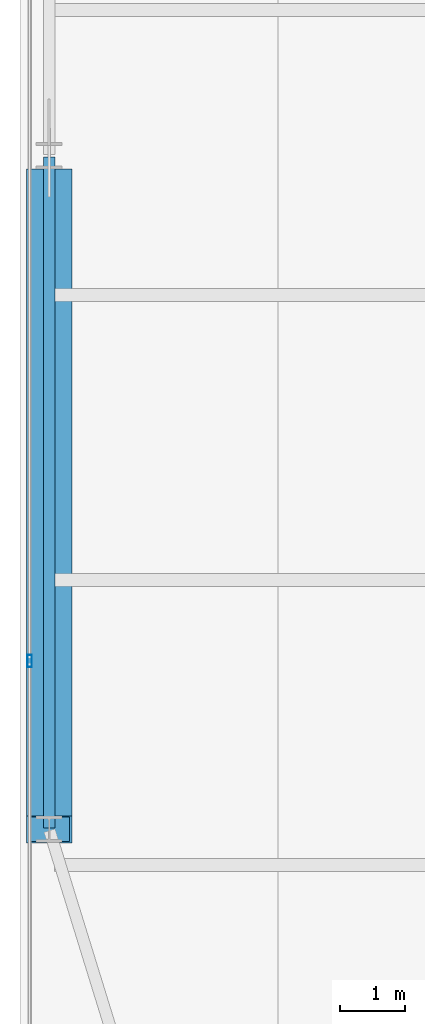
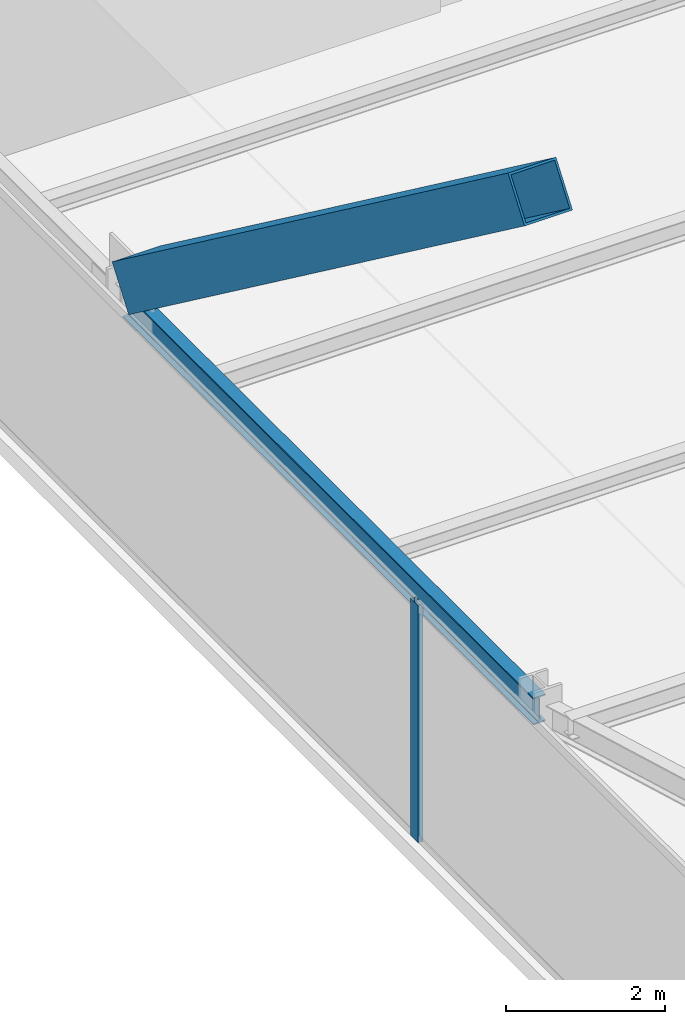
# One storey, part 8 of 35: 2 members, 1 beam, 1 element without a shape of its own.
"""IFC4 building model written with IfcOpenShell, lengths in metres."""

from ifc_helpers import new_model, si_unit, direction, frame, origin, origin_2d, place, context, subcontext, project, spatial, hollow_rectangle, i_section, extrude, source, transform, mapped, material, layer, layer_set, material_profile, profile_set, type_object, type_shapes, element, aggregate, save


model = new_model("IFC4")

# Units and contexts
model_context = context("Model", 3, precision=1e-05, world=origin(), true_north=direction((0.0, 1.0)))
body_context = subcontext(model_context, "Body", "Model", "MODEL_VIEW")
ifc_project = project(units=[si_unit("LENGTHUNIT", "METRE"), si_unit("AREAUNIT", "SQUARE_METRE"), si_unit("VOLUMEUNIT", "CUBIC_METRE"), si_unit("PLANEANGLEUNIT", "RADIAN"), si_unit("MASSUNIT", "GRAM", prefix="KILO")], contexts=[model_context])

# Site, building, storey
site_placement = place(None, origin())
site = spatial("IfcSite", under=ifc_project, at=site_placement, CompositionType="ELEMENT")
building_placement = place(site_placement, origin())
building = spatial("IfcBuilding", under=site, at=building_placement, Name="Varnel Quay Broadcast Tower", CompositionType="ELEMENT")
storey_placement = place(building_placement, frame((0.0, 0.0, 31.5)))
storey = spatial("IfcBuildingStorey", under=building, at=storey_placement, Name="L06", CompositionType="ELEMENT", Elevation=31.5)

# Beam
ifc_material_1 = material(Name="Structural Steel CSA G40.21 350W", Category="steel")
ifc_material_profile_1 = material_profile(ifc_material_1, i_section(OverallWidth=0.180908203125, OverallDepth=0.4169921875, WebThickness=0.010986328125, FlangeThickness=0.018310546875, FilletRadius=0.011962890625, at=origin_2d()), Name="W410X85")
ifc_profile_set_1 = profile_set([ifc_material_profile_1], Name="Structural Steel CSA G40.21 350W")
beam_type = type_object("IfcBeamType", Name="Beam_W410X85", PredefinedType="SPANDREL", material=ifc_profile_set_1)
shared_shape_1 = source(origin(), body_context, "Body", "SweptSolid", [
    extrude(i_section(OverallWidth=0.180908203125, OverallDepth=0.4169921875, WebThickness=0.010986328125, FlangeThickness=0.018310546875, FilletRadius=0.011962890625, at=origin_2d()), origin(), (0.0, 0.0, 1.0), 10.35986328125),
])
type_shapes(beam_type, [shared_shape_1])
beam_placement = place(storey_placement, frame((2.449951171875, 15.02001953125, 3.44140625), z_axis=(0.0, 1.0, 0.0), x_axis=(-1.0, 0.0, 0.0)))
element("IfcBeam", 1, at=beam_placement, inside=storey, type_object=beam_type, Name="L06 West Spandrel TC-W1-TC-W2", PredefinedType="SPANDREL", context=body_context, shape_type="MappedRepresentation", body=[
    mapped(shared_shape_1, transform((0.0, 0.0, 0.0), x_axis=(1.0, 0.0, 0.0), y_axis=(0.0, 1.0, 0.0), z_axis=(0.0, 0.0, 1.0), scale=1.0)),
])

# Member
ifc_material_2 = material(Name="Structural Steel CSA G40.21 350WT", Category="steel")
ifc_material_profile_2 = material_profile(ifc_material_2, hollow_rectangle(XDim=0.699951171875, YDim=0.699951171875, WallThickness=0.031982421875, at=origin_2d()), Name="BOX700X700X32")
ifc_profile_set_2 = profile_set([ifc_material_profile_2], Name="Structural Steel CSA G40.21 350WT")
member_type_1 = type_object("IfcMemberType", Name="Brace_BOX700X700X32", PredefinedType="BRACE", material=ifc_profile_set_2)
shared_shape_2 = source(origin(), body_context, "Body", "SweptSolid", [
    extrude(hollow_rectangle(XDim=0.699951171875, YDim=0.699951171875, WallThickness=0.031982421875, at=origin_2d()), origin(), (0.0, 0.0, 1.0), 12.442626953125),
])
type_shapes(member_type_1, [shared_shape_2])
member_1_placement = place(storey_placement, frame((2.449951171875, 24.986572265625, 4.0078125), z_axis=(0.0, -0.802608305206, 0.596506419425), x_axis=(1.0, 0.0, 0.0)))
element("IfcMember", 2, at=member_1_placement, inside=storey, type_object=member_type_1, Name="Zone 1 Mega-Brace W-FT1 Split Diag B2", PredefinedType="BRACE", context=body_context, shape_type="MappedRepresentation", body=[
    mapped(shared_shape_2, transform((0.0, 0.0, 0.0), x_axis=(1.0, 0.0, 0.0), y_axis=(0.0, 1.0, 0.0), z_axis=(0.0, 0.0, 1.0), scale=1.0)),
])

# Curtain wall, member
ifc_material_3 = material(Name="Anodised Bronze Aluminium 6063-T6", Category="aluminium")
ifc_layer = layer(ifc_material_3, 0.18994140625, Name="Anodised Bronze Aluminium 6063-T6")
ifc_layer_set = layer_set([ifc_layer], Name="Anodised Bronze Aluminium 6063-T6")
curtain_wall_type = type_object("IfcCurtainWallType", Name="CW_LowerTower", PredefinedType="NOTDEFINED", material=ifc_layer_set)
curtain_wall_placement = place(storey_placement, origin())
curtain_wall = element("IfcCurtainWall", 3, at=curtain_wall_placement, inside=storey, type_object=curtain_wall_type, Name="L06 West Unitised Curtain Wall", PredefinedType="NOTDEFINED")
ifc_material_profile_3 = material_profile(ifc_material_3, hollow_rectangle(XDim=0.070068359375, YDim=0.18994140625, WallThickness=0.00390625, at=origin_2d()), Name="ALU70X190X4")
ifc_profile_set_3 = profile_set([ifc_material_profile_3], Name="Anodised Bronze Aluminium 6063-T6")
member_type_2 = type_object("IfcMemberType", Name="Mull_CWS-02", PredefinedType="MULLION", material=ifc_profile_set_3)
shared_shape_3 = source(origin(), body_context, "Body", "SweptSolid", [
    extrude(hollow_rectangle(XDim=0.070068359375, YDim=0.18994140625, WallThickness=0.00390625, at=origin_2d()), origin(), (0.0, 0.0, 1.0), 3.64990234375),
])
type_shapes(member_type_2, [shared_shape_3])
member_2_placement = place(storey_placement, frame((2.14990234375, 17.60009765625, 0.0), z_axis=(0.0, 0.0, 1.0), x_axis=(-1.0, 0.0, 0.0)))
member_2 = element("IfcMember", 4, at=member_2_placement, type_object=member_type_2, Name="CWS-02 mullion 2", PredefinedType="MULLION", context=body_context, shape_type="MappedRepresentation", body=[
    mapped(shared_shape_3, transform((0.0, 0.0, 0.0), x_axis=(1.0, 0.0, 0.0), y_axis=(0.0, 1.0, 0.0), z_axis=(0.0, 0.0, 1.0), scale=1.0)),
])
aggregate(curtain_wall, [member_2])

save(model, "model.ifc")
